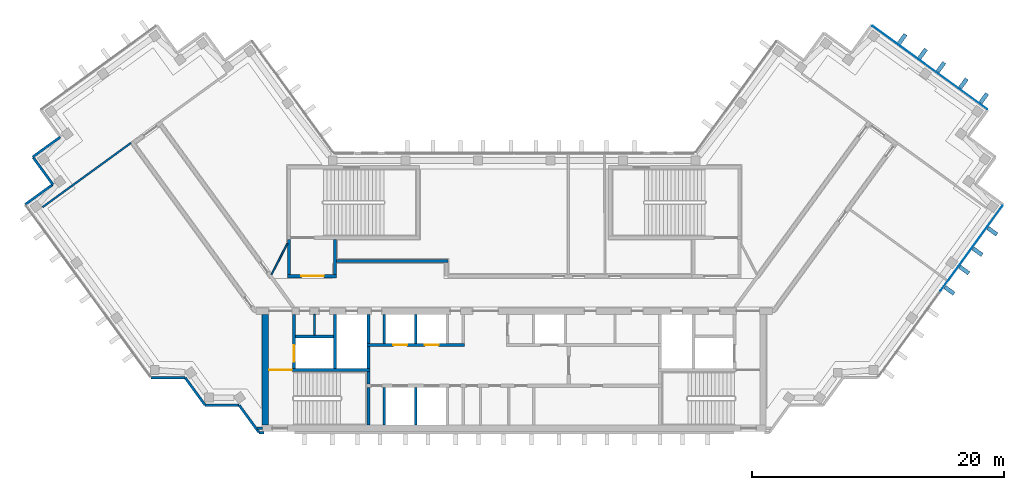
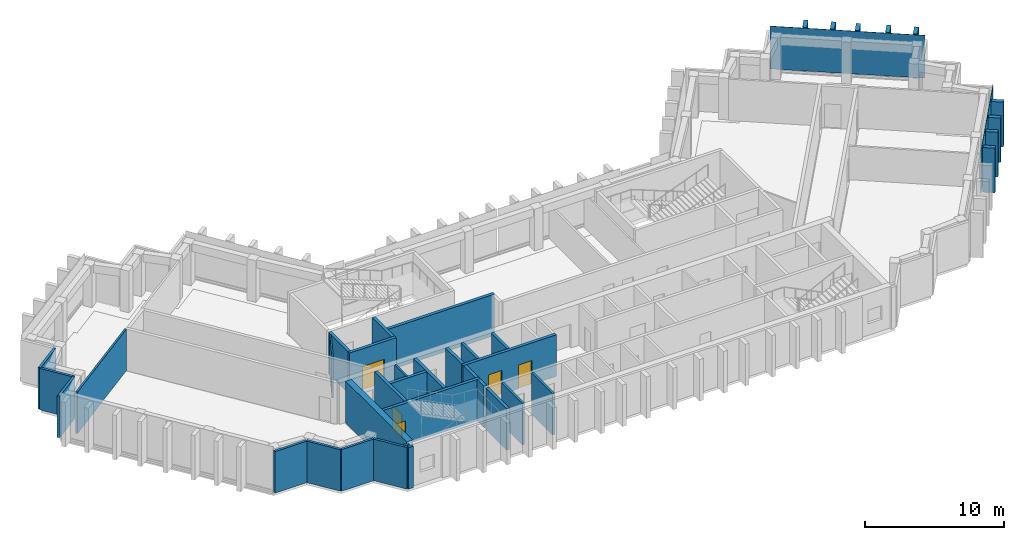
"""IFC4 building model written with IfcOpenShell, lengths in metres."""

from ifc_helpers import new_model, si_unit, direction, frame, frame_2d, origin, origin_2d, place, context, subcontext, project, spatial, rectangle, extrude, material, layer, layer_set, type_object, element, fill, aggregate, save


model = new_model("IFC4")

# Units and contexts
model_context = context("Model", 3, precision=1e-05, world=origin(), true_north=direction((0.0, 1.0)))
body_context = subcontext(model_context, "Body", "Model", "MODEL_VIEW")
ifc_project = project(units=[si_unit("LENGTHUNIT", "METRE"), si_unit("AREAUNIT", "SQUARE_METRE"), si_unit("VOLUMEUNIT", "CUBIC_METRE"), si_unit("PLANEANGLEUNIT", "RADIAN"), si_unit("MASSUNIT", "GRAM", prefix="KILO")], contexts=[model_context])

# Site, building, storey
site_placement = place(None, origin())
site = spatial("IfcSite", under=ifc_project, at=site_placement, CompositionType="ELEMENT")
building_placement = place(site_placement, origin())
building = spatial("IfcBuilding", under=site, at=building_placement, Name="Quipu Civic Tower", CompositionType="ELEMENT")
storey_1_placement = place(building_placement, frame((0.0, 0.0, 339.0)))
storey_1 = spatial("IfcBuildingStorey", under=building, at=storey_1_placement, Name="L79", CompositionType="ELEMENT", Elevation=339.0)

# Curtain wall
ifc_material_1 = material(Name="Insulated glass unit", Category="glass")
curtain_wall_type = type_object("IfcCurtainWallType", Name="Office curtain wall CW1", PredefinedType="NOTDEFINED", material=ifc_material_1)
curtain_wall_1_placement = place(storey_1_placement, origin())
curtain_wall_1 = element("IfcCurtainWall", 1, at=curtain_wall_1_placement, inside=storey_1, type_object=curtain_wall_type, Name="Office curtain wall CW1 L78 run 4", PredefinedType="NOTDEFINED")

# Storey
storey_2_placement = place(building_placement, frame((0.0, 0.0, 343.0)))
storey_2 = spatial("IfcBuildingStorey", under=building, at=storey_2_placement, Name="L80", CompositionType="ELEMENT", Elevation=343.0)

# Plate
ifc_material_2 = material(Name="Insulated glass unit", Category="glass")
ifc_layer_1 = layer(ifc_material_2, 0.028076171875)
ifc_layer_set_1 = layer_set([ifc_layer_1], Name="Insulated glass unit")
plate_type_1 = type_object("IfcPlateType", Name="Glass panel CW1", PredefinedType="CURTAIN_PANEL", material=ifc_layer_set_1)
plate_1_placement = place(storey_2_placement, frame((36.292724609375, 3.54052734375, 0.16015625), z_axis=(0.0, 0.0, 1.0), x_axis=(0.587786237643, 0.809016278475, 0.0)))
plate_1 = element("IfcPlate", 2, at=plate_1_placement, inside=storey_2, type_object=plate_type_1, Name="CW1 panel 2.3", PredefinedType="CURTAIN_PANEL", context=body_context, shape_type="SweptSolid", body=[
    extrude(rectangle(XDim=8.35791015625, YDim=0.028076171875, at=origin_2d()), origin(), (0.0, 0.0, 1.0), 3.760009765625),
])

aggregate(curtain_wall_1, [plate_1])

# Storey
storey_3_placement = place(building_placement, frame((0.0, 0.0, 347.0)))
storey_3 = spatial("IfcBuildingStorey", under=building, at=storey_3_placement, Name="L81", CompositionType="ELEMENT", Elevation=347.0)

# Curtain wall, plate
curtain_wall_2_placement = place(storey_3_placement, origin())
curtain_wall_2 = element("IfcCurtainWall", 3, at=curtain_wall_2_placement, inside=storey_3, type_object=curtain_wall_type, Name="Office curtain wall CW1 L80 run 21", PredefinedType="NOTDEFINED")
plate_2_placement = place(storey_2_placement, frame((32.989990234375, 17.87939453125, 0.240234375), z_axis=(0.0, 0.0, 1.0), x_axis=(-0.809015176832, 0.587787753918, 0.0)))
plate_2 = element("IfcPlate", 4, at=plate_2_placement, inside=storey_2, type_object=plate_type_1, Name="CW1 panel 1.1", PredefinedType="CURTAIN_PANEL", context=body_context, shape_type="SweptSolid", body=[
    extrude(rectangle(XDim=11.239990234375, YDim=0.028076171875, at=origin_2d()), origin(), (0.0, 0.0, 1.0), 3.760009765625),
])
aggregate(curtain_wall_2, [plate_2])

# Plates
ifc_material_3 = material(Name="Precast concrete C40/50", Category="concrete")
plate_type_2 = type_object("IfcPlateType", Name="Precast fin F3", PredefinedType="SHEET", material=ifc_material_3)
for number, where, z_axis, x_axis, name in (
    (5, (34.541748046875, 0.195068359375, 0.080078125), (0.0, 0.0, 1.0), (0.587786668783, 0.809015965233, 0.0), "Precast fin F3 L80.P04.5"),
    (6, (35.717529296875, 1.81298828125, 0.080078125), (0.0, 0.0, 1.0), (0.587786668783, 0.809015965233, 0.0), "Precast fin F3 L80.P04.6"),
    (7, (36.775390625, 3.269287109375, 0.080078125), (0.0, 0.0, 1.0), (0.587786668783, 0.809015965233, 0.0), "Precast fin F3 L80.P04.7"),
    (8, (37.950927734375, 4.88720703125, 0.080078125), (0.0, 0.0, 1.0), (0.587786668783, 0.809015965233, 0.0), "Precast fin F3 L80.P04.8"),
    (9, (37.26953125, 15.449951171875, 0.080078125), (0.0, 0.0, 1.0), (-0.809017072762, 0.587785144401, 0.0), "Precast fin F3 L80.21.1"),
    (10, (35.6513671875, 16.62548828125, 0.080078125), (0.0, 0.0, 1.0), (-0.809017072762, 0.587785144401, 0.0), "Precast fin F3 L80.21.2"),
    (11, (33.87158203125, 17.918701171875, 0.080078125), (0.0, 0.0, 1.0), (-0.809017072762, 0.587785144401, 0.0), "Precast fin F3 L80.21.3"),
    (12, (32.415283203125, 18.976806640625, 0.080078125), (0.0, 0.0, 1.0), (-0.809017072762, 0.587785144401, 0.0), "Precast fin F3 L80.21.4"),
    (13, (30.79736328125, 20.15234375, 0.080078125), (0.0, 0.0, 1.0), (-0.809017072762, 0.587785144401, 0.0), "Precast fin F3 L80.21.5"),
):
    element("IfcPlate", number, at=place(storey_2_placement, frame(where, z_axis=z_axis, x_axis=x_axis)), inside=storey_2, type_object=plate_type_2, Name=name, PredefinedType="SHEET", context=body_context, shape_type="SweptSolid", body=[
        extrude(rectangle(XDim=0.320068359375, YDim=0.89990234375, at=origin_2d()), origin(), (0.0, 0.0, 1.0), 3.919921875),
    ])

# Walls
ifc_material_4 = material(Name="Double gypsum plasterboard with mineral wool")
ifc_layer_2 = layer(ifc_material_4, 0.14990234375)
ifc_layer_set_2 = layer_set([ifc_layer_2], Name="Double gypsum plasterboard with mineral wool")
wall_type_1 = type_object("IfcWallType", Name="Acoustic partition 150 plasterboard", PredefinedType="PARTITIONING", material=ifc_layer_set_2)
wall_1_placement = place(storey_2_placement, frame((-37.42919921875, 6.805419921875, 0.0), z_axis=(0.0, 0.0, 1.0), x_axis=(0.809020922653, 0.587779845444, 0.0)))
element("IfcWall", 14, at=wall_1_placement, inside=storey_2, type_object=wall_type_1, Name="Partition P05", PredefinedType="PARTITIONING", context=body_context, shape_type="SweptSolid", body=[
    extrude(rectangle(XDim=8.670166015625, YDim=0.14990234375, at=frame_2d((4.3349609375, 0.0))), origin(), (0.0, 0.0, 1.0), 3.64990234375),
])
ifc_material_5 = material(Name="Concrete C70/85", Category="concrete")
ifc_layer_3 = layer(ifc_material_5, 0.25)
ifc_layer_set_3 = layer_set([ifc_layer_3], Name="Concrete C70/85")
wall_type_2 = type_object("IfcWallType", Name="Core wall 250", PredefinedType="SHEAR", material=ifc_layer_set_3)
wall_2_placement = place(storey_2_placement, frame((-11.574951171875, -10.5, 0.0), z_axis=(0.0, 0.0, 1.0), x_axis=(0.0, 1.0, 0.0)))
element("IfcWall", 15, at=wall_2_placement, inside=storey_2, type_object=wall_type_2, Name="Core wall", PredefinedType="SHEAR", context=body_context, shape_type="SweptSolid", body=[
    extrude(rectangle(XDim=3.0, YDim=0.25, at=frame_2d((1.5, 0.0))), origin(), (0.0, 0.0, 1.0), 3.64990234375),
])
wall_3_placement = place(storey_2_placement, frame((-11.574951171875, -7.25, 0.0), z_axis=(0.0, 0.0, 1.0), x_axis=(0.0, 1.0, 0.0)))
element("IfcWall", 16, at=wall_3_placement, inside=storey_2, type_object=wall_type_2, Name="Core wall", PredefinedType="SHEAR", context=body_context, shape_type="SweptSolid", body=[
    extrude(rectangle(XDim=1.0, YDim=0.25, at=frame_2d((0.5, 0.0))), origin(), (0.0, 0.0, 1.0), 3.64990234375),
])

# Wall, opening, door
wall_4_placement = place(storey_2_placement, frame((-11.449951171875, -6.125, 0.0), z_axis=(0.0, 0.0, 1.0), x_axis=(-1.0, 0.0, 0.0)))
wall_4 = element("IfcWall", 17, at=wall_4_placement, inside=storey_2, type_object=wall_type_2, Name="Core wall", PredefinedType="SHEAR", context=body_context, shape_type="SweptSolid", body=[
    extrude(rectangle(XDim=8.050048828125, YDim=0.25, at=frame_2d((4.02490234375, 0.0))), origin(), (0.0, 0.0, 1.0), 3.64990234375),
])
opening_1_placement = place(wall_4_placement, frame((6.199951171875, 0.0, 0.0)))
opening_1 = element("IfcOpeningElement", 18, at=opening_1_placement, cuts=wall_4, Name="Opening CD-07", PredefinedType="OPENING", context=body_context, shape_type="SweptSolid", body=[
    extrude(rectangle(XDim=1.800048828125, YDim=2.10009765625, at=frame_2d((0.89990234375, 1.050048828125))), frame((0.0, 0.135009765625, 0.0), z_axis=(0.0, -1.0, 0.0), x_axis=(1.0, 0.0, 0.0)), (0.0, 0.0, 1.0), 0.27001953125),
])
ifc_material_6 = material(Name="Fire rated steel door", Category="steel")
door_type_1 = type_object("IfcDoorType", Name="Fire door FD90 double 1800 x 2100", OperationType="NOTDEFINED", PredefinedType="DOOR", material=ifc_material_6)
door_1_placement = place(opening_1_placement, origin())
door_1 = element("IfcDoor", 19, at=door_1_placement, inside=storey_2, type_object=door_type_1, Name="Door", OperationType="DOUBLE_DOOR_SINGLE_SWING", OverallHeight=2.10009765625, OverallWidth=1.800048828125, PredefinedType="DOOR", context=body_context, shape_type="SweptSolid", body=[
    extrude(rectangle(XDim=1.800048828125, YDim=2.10009765625, at=frame_2d((0.89990234375, 1.050048828125))), frame((0.0, 0.02490234375, 0.0), z_axis=(0.0, -1.0, 0.0), x_axis=(1.0, 0.0, 0.0)), (0.0, 0.0, 1.0), 0.050048828125),
])
fill(opening_1, door_1)

wall_5_placement = place(storey_2_placement, frame((-17.47509765625, -6.0, 0.0), z_axis=(0.0, 0.0, 1.0), x_axis=(0.0, 1.0, 0.0)))
wall_5 = element("IfcWall", 20, at=wall_5_placement, inside=storey_2, type_object=wall_type_2, Name="Core wall", PredefinedType="SHEAR", context=body_context, shape_type="SweptSolid", body=[
    extrude(rectangle(XDim=4.300048828125, YDim=0.25, at=frame_2d((2.14990234375, 0.0))), origin(), (0.0, 0.0, 1.0), 3.64990234375),
])
opening_2_placement = place(wall_5_placement, frame((0.550048828125, 0.0, 0.0)))
opening_2 = element("IfcOpeningElement", 21, at=opening_2_placement, cuts=wall_5, Name="Opening LD-FF1", PredefinedType="OPENING", context=body_context, shape_type="SweptSolid", body=[
    extrude(rectangle(XDim=1.300048828125, YDim=2.10009765625, at=frame_2d((0.64990234375, 1.050048828125))), frame((0.0, 0.135009765625, 0.0), z_axis=(0.0, -1.0, 0.0), x_axis=(1.0, 0.0, 0.0)), (0.0, 0.0, 1.0), 0.27001953125),
])
ifc_material_7 = material(Name="Stainless steel", Category="steel")
door_type_2 = type_object("IfcDoorType", Name="Lift landing door 1300 x 2100", OperationType="DOUBLE_DOOR_SLIDING", PredefinedType="DOOR", material=ifc_material_7)
door_2_placement = place(opening_2_placement, origin())
door_2 = element("IfcDoor", 22, at=door_2_placement, inside=storey_2, type_object=door_type_2, Name="Landing door FF1", OperationType="DOUBLE_DOOR_SLIDING", OverallHeight=2.10009765625, OverallWidth=1.300048828125, PredefinedType="DOOR", context=body_context, shape_type="SweptSolid", body=[
    extrude(rectangle(XDim=1.300048828125, YDim=2.10009765625, at=frame_2d((0.64990234375, 1.050048828125))), frame((0.0, 0.02490234375, 0.0), z_axis=(0.0, -1.0, 0.0), x_axis=(1.0, 0.0, 0.0)), (0.0, 0.0, 1.0), 0.050048828125),
])
fill(opening_2, door_2)

# Walls
wall_6_placement = place(storey_2_placement, frame((-14.22509765625, -6.0, 0.0), z_axis=(0.0, 0.0, 1.0), x_axis=(0.0, 1.0, 0.0)))
element("IfcWall", 23, at=wall_6_placement, inside=storey_2, type_object=wall_type_2, Name="Core wall", PredefinedType="SHEAR", context=body_context, shape_type="SweptSolid", body=[
    extrude(rectangle(XDim=4.300048828125, YDim=0.25, at=frame_2d((2.14990234375, 0.0))), origin(), (0.0, 0.0, 1.0), 3.64990234375),
])
wall_7_placement = place(storey_2_placement, frame((-11.574951171875, -6.0, 0.0), z_axis=(0.0, 0.0, 1.0), x_axis=(0.0, 1.0, 0.0)))
element("IfcWall", 24, at=wall_7_placement, inside=storey_2, type_object=wall_type_2, Name="Core wall", PredefinedType="SHEAR", context=body_context, shape_type="SweptSolid", body=[
    extrude(rectangle(XDim=1.75, YDim=0.25, at=frame_2d((0.875, 0.0))), origin(), (0.0, 0.0, 1.0), 3.64990234375),
])

# Wall, openings, doors
wall_8_placement = place(storey_2_placement, frame((-11.699951171875, -4.125, 0.0), z_axis=(0.0, 0.0, 1.0), x_axis=(1.0, 0.0, 0.0)))
wall_8 = element("IfcWall", 25, at=wall_8_placement, inside=storey_2, type_object=wall_type_2, Name="Core wall", PredefinedType="SHEAR", context=body_context, shape_type="SweptSolid", body=[
    extrude(rectangle(XDim=7.75, YDim=0.25, at=frame_2d((3.875, 0.0))), origin(), (0.0, 0.0, 1.0), 3.64990234375),
])
opening_3_placement = place(wall_8_placement, frame((2.10009765625, 0.0, 0.0)))
opening_3 = element("IfcOpeningElement", 26, at=opening_3_placement, cuts=wall_8, Name="Opening LD-HL3", PredefinedType="OPENING", context=body_context, shape_type="SweptSolid", body=[
    extrude(rectangle(XDim=1.10009765625, YDim=2.10009765625, at=frame_2d((0.550048828125, 1.050048828125))), frame((0.0, 0.135009765625, 0.0), z_axis=(0.0, -1.0, 0.0), x_axis=(1.0, 0.0, 0.0)), (0.0, 0.0, 1.0), 0.27001953125),
])
opening_4_placement = place(wall_8_placement, frame((4.60009765625, 0.0, 0.0)))
opening_4 = element("IfcOpeningElement", 27, at=opening_4_placement, cuts=wall_8, Name="Opening LD-HL4", PredefinedType="OPENING", context=body_context, shape_type="SweptSolid", body=[
    extrude(rectangle(XDim=1.10009765625, YDim=2.10009765625, at=frame_2d((0.550048828125, 1.050048828125))), frame((0.0, 0.135009765625, 0.0), z_axis=(0.0, -1.0, 0.0), x_axis=(1.0, 0.0, 0.0)), (0.0, 0.0, 1.0), 0.27001953125),
])
ifc_material_8 = material(Name="Stainless steel", Category="steel")
door_type_3 = type_object("IfcDoorType", Name="Lift landing door 1100 x 2100", OperationType="DOUBLE_DOOR_SLIDING", PredefinedType="DOOR", material=ifc_material_8)
door_3_placement = place(opening_3_placement, origin())
door_3 = element("IfcDoor", 28, at=door_3_placement, inside=storey_2, type_object=door_type_3, Name="Landing door HL3", OperationType="DOUBLE_DOOR_SLIDING", OverallHeight=2.10009765625, OverallWidth=1.10009765625, PredefinedType="DOOR", context=body_context, shape_type="SweptSolid", body=[
    extrude(rectangle(XDim=1.10009765625, YDim=2.10009765625, at=frame_2d((0.550048828125, 1.050048828125))), frame((0.0, 0.02490234375, 0.0), z_axis=(0.0, -1.0, 0.0), x_axis=(1.0, 0.0, 0.0)), (0.0, 0.0, 1.0), 0.050048828125),
])
fill(opening_3, door_3)
door_4_placement = place(opening_4_placement, origin())
door_4 = element("IfcDoor", 29, at=door_4_placement, inside=storey_2, type_object=door_type_3, Name="Landing door HL4", OperationType="DOUBLE_DOOR_SLIDING", OverallHeight=2.10009765625, OverallWidth=1.10009765625, PredefinedType="DOOR", context=body_context, shape_type="SweptSolid", body=[
    extrude(rectangle(XDim=1.10009765625, YDim=2.10009765625, at=frame_2d((0.550048828125, 1.050048828125))), frame((0.0, 0.02490234375, 0.0), z_axis=(0.0, -1.0, 0.0), x_axis=(1.0, 0.0, 0.0)), (0.0, 0.0, 1.0), 0.050048828125),
])
fill(opening_4, door_4)

# Walls
wall_9_placement = place(storey_2_placement, frame((-11.574951171875, -4.0, 0.0), z_axis=(0.0, 0.0, 1.0), x_axis=(0.0, 1.0, 0.0)))
element("IfcWall", 30, at=wall_9_placement, inside=storey_2, type_object=wall_type_2, Name="Core wall", PredefinedType="SHEAR", context=body_context, shape_type="SweptSolid", body=[
    extrude(rectangle(XDim=2.300048828125, YDim=0.25, at=frame_2d((1.14990234375, 0.0))), origin(), (0.0, 0.0, 1.0), 3.64990234375),
])
wall_10_placement = place(storey_2_placement, frame((-17.35009765625, -3.47509765625, 0.0), z_axis=(0.0, 0.0, 1.0), x_axis=(1.0, 0.0, 0.0)))
element("IfcWall", 31, at=wall_10_placement, inside=storey_2, type_object=wall_type_2, Name="Core wall", PredefinedType="SHEAR", context=body_context, shape_type="SweptSolid", body=[
    extrude(rectangle(XDim=3.0, YDim=0.25, at=frame_2d((1.5, 0.0))), origin(), (0.0, 0.0, 1.0), 3.64990234375),
])

# Wall, opening, door
wall_11_placement = place(storey_2_placement, frame((-18.0, 1.324951171875, 0.0), z_axis=(0.0, 0.0, 1.0), x_axis=(1.0, 0.0, 0.0)))
wall_11 = element("IfcWall", 32, at=wall_11_placement, inside=storey_2, type_object=wall_type_2, Name="Core wall", PredefinedType="SHEAR", context=body_context, shape_type="SweptSolid", body=[
    extrude(rectangle(XDim=3.89990234375, YDim=0.25, at=frame_2d((1.949951171875, 0.0))), origin(), (0.0, 0.0, 1.0), 3.64990234375),
])
opening_5_placement = place(wall_11_placement, frame((1.10009765625, 0.0, 0.0)))
opening_5 = element("IfcOpeningElement", 33, at=opening_5_placement, cuts=wall_11, Name="Opening CD-23", PredefinedType="OPENING", context=body_context, shape_type="SweptSolid", body=[
    extrude(rectangle(XDim=1.800048828125, YDim=2.10009765625, at=frame_2d((0.89990234375, 1.050048828125))), frame((0.0, 0.135009765625, 0.0), z_axis=(0.0, -1.0, 0.0), x_axis=(1.0, 0.0, 0.0)), (0.0, 0.0, 1.0), 0.27001953125),
])
door_5_placement = place(opening_5_placement, origin())
door_5 = element("IfcDoor", 34, at=door_5_placement, inside=storey_2, type_object=door_type_1, Name="Lobby door", OperationType="DOUBLE_DOOR_SINGLE_SWING", OverallHeight=2.10009765625, OverallWidth=1.800048828125, PredefinedType="DOOR", context=body_context, shape_type="SweptSolid", body=[
    extrude(rectangle(XDim=1.800048828125, YDim=2.10009765625, at=frame_2d((0.89990234375, 1.050048828125))), frame((0.0, 0.02490234375, 0.0), z_axis=(0.0, -1.0, 0.0), x_axis=(1.0, 0.0, 0.0)), (0.0, 0.0, 1.0), 0.050048828125),
])
fill(opening_5, door_5)

# Walls
for number, where, z_axis, x_axis, name in (
    (35, (-17.875, 1.449951171875, 0.0), (0.0, 0.0, 1.0), (0.0, 1.0, 0.0), "Core wall"),
    (36, (-14.22509765625, 1.449951171875, 0.0), (0.0, 0.0, 1.0), (0.0, 1.0, 0.0), "Core wall"),
):
    element("IfcWall", number, at=place(storey_2_placement, frame(where, z_axis=z_axis, x_axis=x_axis)), inside=storey_2, type_object=wall_type_2, Name=name, PredefinedType="SHEAR", context=body_context, shape_type="SweptSolid", body=[
        extrude(rectangle(XDim=2.800048828125, YDim=0.25, at=frame_2d((1.39990234375, 0.0))), origin(), (0.0, 0.0, 1.0), 3.64990234375),
    ])
ifc_material_9 = material(Name="Concrete C70/85", Category="concrete")
ifc_layer_4 = layer(ifc_material_9, 0.5)
ifc_layer_set_4 = layer_set([ifc_layer_4], Name="Concrete C70/85")
wall_type_3 = type_object("IfcWallType", Name="Core wall 500", PredefinedType="SHEAR", material=ifc_layer_set_4)
wall_12_placement = place(storey_2_placement, frame((-19.75, -10.5, 0.0), z_axis=(0.0, 0.0, 1.0), x_axis=(0.0, 1.0, 0.0)))
element("IfcWall", 37, at=wall_12_placement, inside=storey_2, type_object=wall_type_3, Name="Core wall", PredefinedType="SHEAR", context=body_context, shape_type="SweptSolid", body=[
    extrude(rectangle(XDim=8.800048828125, YDim=0.5, at=frame_2d((4.39990234375, 0.0))), origin(), (0.0, 0.0, 1.0), 3.64990234375),
])
ifc_material_10 = material(Name="Concrete C50/60", Category="concrete")
ifc_layer_5 = layer(ifc_material_10, 0.25)
ifc_layer_set_5 = layer_set([ifc_layer_5], Name="Concrete C50/60")
wall_type_4 = type_object("IfcWallType", Name="Corridor wall 250 concrete", PredefinedType="SOLIDWALL", material=ifc_layer_set_5)
wall_13_placement = place(storey_2_placement, frame((-14.090087890625, 2.52490234375, 0.0), z_axis=(0.0, 0.0, 1.0), x_axis=(1.0, 0.0, 0.0)))
element("IfcWall", 38, at=wall_13_placement, inside=storey_2, type_object=wall_type_4, Name="Corridor wall C07", PredefinedType="SOLIDWALL", context=body_context, shape_type="SweptSolid", body=[
    extrude(rectangle(XDim=8.840087890625, YDim=0.25, at=frame_2d((4.419921875, 0.0))), origin(), (0.0, 0.0, 1.0), 3.64990234375),
])
ifc_material_11 = material(Name="Gypsum plasterboard on light gauge framing")
ifc_layer_6 = layer(ifc_material_11, 0.1201171875)
ifc_layer_set_6 = layer_set([ifc_layer_6], Name="Gypsum plasterboard on light gauge framing")
wall_type_5 = type_object("IfcWallType", Name="Partition 120 plasterboard", PredefinedType="PARTITIONING", material=ifc_layer_set_6)
wall_14_placement = place(storey_2_placement, frame((-19.260986328125, 1.449951171875, 0.0), z_axis=(0.0, 0.0, 1.0), x_axis=(0.453950796792, 0.891026752736, 0.0)))
element("IfcWall", 39, at=wall_14_placement, inside=storey_2, type_object=wall_type_5, Name="Partition P09", PredefinedType="PARTITIONING", context=body_context, shape_type="SweptSolid", body=[
    extrude(rectangle(XDim=2.77783203125, YDim=0.1201171875, at=frame_2d((1.388916015625, 0.0))), origin(), (0.0, 0.0, 1.0), 3.64990234375),
])
ifc_material_12 = material(Name="Gypsum board partition")
ifc_layer_7 = layer(ifc_material_12, 0.14990234375)
ifc_layer_set_7 = layer_set([ifc_layer_7], Name="Gypsum board partition")
wall_type_6 = type_object("IfcWallType", Name="Partition 150", PredefinedType="PARTITIONING", material=ifc_layer_set_7)
wall_15_placement = place(storey_2_placement, frame((-15.85009765625, -3.35009765625, 0.0), z_axis=(0.0, 0.0, 1.0), x_axis=(0.0, 1.0, 0.0)))
element("IfcWall", 40, at=wall_15_placement, inside=storey_2, type_object=wall_type_6, Name="Partition", PredefinedType="PARTITIONING", context=body_context, shape_type="SweptSolid", body=[
    extrude(rectangle(XDim=1.650146484375, YDim=0.14990234375, at=frame_2d((0.8251953125, 0.0))), origin(), (0.0, 0.0, 1.0), 3.64990234375),
])
ifc_material_13 = material(Name="Precast concrete C40/50", Category="concrete")
wall_type_7 = type_object("IfcWallType", Name="Precast cladding wall", PredefinedType="SOLIDWALL", material=ifc_material_13)
for number, where, z_axis, x_axis, name in (
    (41, (-36.031982421875, 12.36865234375, 0.0), (0.0, 0.0, 1.0), (-0.809033161865, -0.587762999008, 0.0), "Precast cladding wall L80 8"),
    (42, (-38.189208984375, 10.7646484375, 0.0), (0.0, 0.0, 1.0), (0.587822180636, -0.808990163075, 0.0), "Precast cladding wall L80 9"),
    (43, (-36.62939453125, 8.597412109375, 0.0), (0.0, 0.0, 1.0), (-0.809033161865, -0.587762999008, 0.0), "Precast cladding wall L80 10"),
    (44, (-28.829833984375, -6.71923828125, 0.0), (0.0, 0.0, 1.0), (1.0, 0.0, 0.0), "Precast cladding wall L80 12"),
):
    element("IfcWall", number, at=place(storey_2_placement, frame(where, z_axis=z_axis, x_axis=x_axis)), inside=storey_2, type_object=wall_type_7, Name=name, PredefinedType="SOLIDWALL", context=body_context, shape_type="SweptSolid", body=[
        extrude(rectangle(XDim=2.699951171875, YDim=0.199951171875, at=frame_2d((1.35009765625, 0.0))), origin(), (0.0, 0.0, 1.0), 3.64990234375),
    ])
wall_16_placement = place(storey_2_placement, frame((-26.1201171875, -6.72412109375, 0.0), z_axis=(0.0, 0.0, 1.0), x_axis=(0.587720002413, -0.809064397168, 0.0)))
element("IfcWall", 45, at=wall_16_placement, inside=storey_2, type_object=wall_type_7, Name="Precast cladding wall L80 13", PredefinedType="SOLIDWALL", context=body_context, shape_type="SweptSolid", body=[
    extrude(rectangle(XDim=2.7001953125, YDim=0.199951171875, at=frame_2d((1.35009765625, 0.0))), origin(), (0.0, 0.0, 1.0), 3.64990234375),
])
wall_17_placement = place(storey_2_placement, frame((-24.542724609375, -8.90380859375, 0.0), z_axis=(0.0, 0.0, 1.0), x_axis=(1.0, 0.0, 0.0)))
element("IfcWall", 46, at=wall_17_placement, inside=storey_2, type_object=wall_type_7, Name="Precast cladding wall L80 14", PredefinedType="SOLIDWALL", context=body_context, shape_type="SweptSolid", body=[
    extrude(rectangle(XDim=2.699951171875, YDim=0.199951171875, at=frame_2d((1.35009765625, 0.0))), origin(), (0.0, 0.0, 1.0), 3.64990234375),
])
wall_18_placement = place(storey_2_placement, frame((-21.8330078125, -8.90869140625, 0.0), z_axis=(0.0, 0.0, 1.0), x_axis=(0.587766567315, -0.809030569476, 0.0)))
element("IfcWall", 47, at=wall_18_placement, inside=storey_2, type_object=wall_type_7, Name="Precast cladding wall L80 15", PredefinedType="SOLIDWALL", context=body_context, shape_type="SweptSolid", body=[
    extrude(rectangle(XDim=2.687744140625, YDim=0.199951171875, at=frame_2d((1.34375, 0.0))), origin(), (0.0, 0.0, 1.0), 3.64990234375),
])
wall_19_placement = place(storey_2_placement, frame((-20.255859375, -11.087890625, 0.0), z_axis=(0.0, 0.0, 1.0), x_axis=(1.0, 0.0, 0.0)))
element("IfcWall", 48, at=wall_19_placement, inside=storey_2, type_object=wall_type_7, Name="Precast cladding wall L80 16", PredefinedType="SOLIDWALL", context=body_context, shape_type="SweptSolid", body=[
    extrude(rectangle(XDim=0.40576171875, YDim=0.199951171875, at=frame_2d((0.202880859375, 0.0))), origin(), (0.0, 0.0, 1.0), 3.64990234375),
])
wall_20_placement = place(storey_2_placement, frame((-19.97998046875, -10.75, 0.0), z_axis=(0.0, 0.0, 1.0), x_axis=(-1.0, 0.0, 0.0)))
element("IfcWall", 49, at=wall_20_placement, inside=storey_2, type_object=wall_type_7, Name="Precast cladding return L80 W", PredefinedType="SOLIDWALL", context=body_context, shape_type="SweptSolid", body=[
    extrude(rectangle(XDim=0.41650390625, YDim=0.199951171875, at=frame_2d((0.208251953125, 0.0))), origin(), (0.0, 0.0, 1.0), 3.64990234375),
])
ifc_material_14 = material(Name="Concrete C40/50", Category="concrete")
ifc_layer_8 = layer(ifc_material_14, 0.199951171875)
ifc_layer_set_8 = layer_set([ifc_layer_8], Name="Concrete C40/50")
wall_type_8 = type_object("IfcWallType", Name="Shaft wall 200", PredefinedType="SOLIDWALL", material=ifc_layer_set_8)
for number, where, z_axis, x_axis, name in (
    (50, (-10.300048828125, -10.5, 0.0), (0.0, 0.0, 1.0), (0.0, 1.0, 0.0), "Shaft wall"),
    (51, (-7.800048828125, -10.5, 0.0), (0.0, 0.0, 1.0), (0.0, 1.0, 0.0), "Shaft wall"),
):
    element("IfcWall", number, at=place(storey_2_placement, frame(where, z_axis=z_axis, x_axis=x_axis)), inside=storey_2, type_object=wall_type_8, Name=name, PredefinedType="SOLIDWALL", context=body_context, shape_type="SweptSolid", body=[
        extrude(rectangle(XDim=3.0, YDim=0.199951171875, at=frame_2d((1.5, 0.0))), origin(), (0.0, 0.0, 1.0), 3.64990234375),
    ])
for number, where, z_axis, x_axis, name in (
    (52, (-10.300048828125, -4.0, 0.0), (0.0, 0.0, 1.0), (0.0, 1.0, 0.0), "Shaft wall"),
    (53, (-7.800048828125, -4.0, 0.0), (0.0, 0.0, 1.0), (0.0, 1.0, 0.0), "Shaft wall"),
):
    element("IfcWall", number, at=place(storey_2_placement, frame(where, z_axis=z_axis, x_axis=x_axis)), inside=storey_2, type_object=wall_type_8, Name=name, PredefinedType="SOLIDWALL", context=body_context, shape_type="SweptSolid", body=[
        extrude(rectangle(XDim=2.300048828125, YDim=0.199951171875, at=frame_2d((1.14990234375, 0.0))), origin(), (0.0, 0.0, 1.0), 3.64990234375),
    ])

save(model, "model.ifc")
